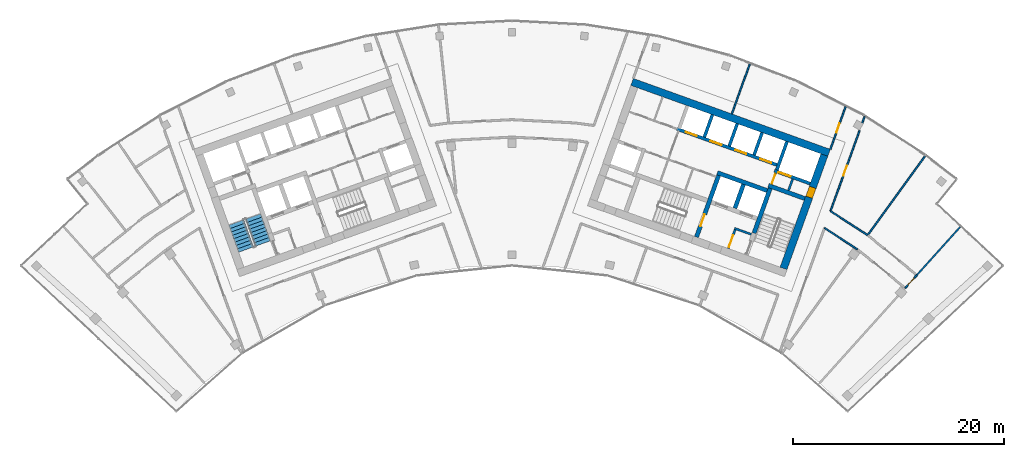
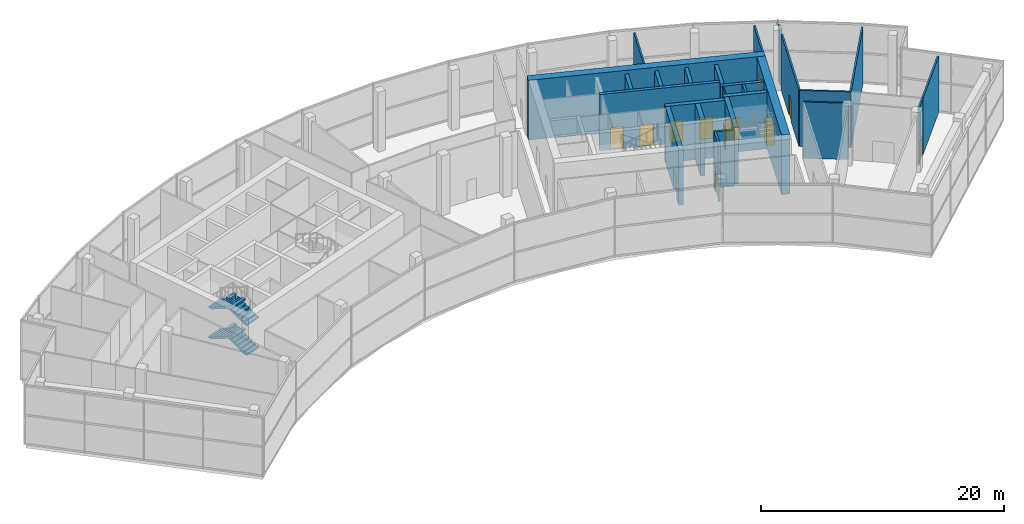
# One storey, part 15 of 18: 26 walls, 12 doors, 4 stair flights, 12 openings, 1 element without a shape of its own.
"""IFC4 building model written with IfcOpenShell, lengths in metres."""

from ifc_helpers import new_model, si_unit, direction, frame, frame_2d, origin, place, context, subcontext, project, spatial, polyline, rectangle, outline, extrude, material, layer, layer_set, type_object, element, fill, aggregate, save


model = new_model("IFC4")

# Units and contexts
model_context = context("Model", 3, precision=1e-05, world=origin(), true_north=direction((0.0, 1.0)))
body_context = subcontext(model_context, "Body", "Model", "MODEL_VIEW")
ifc_project = project(units=[si_unit("LENGTHUNIT", "METRE"), si_unit("AREAUNIT", "SQUARE_METRE"), si_unit("VOLUMEUNIT", "CUBIC_METRE"), si_unit("PLANEANGLEUNIT", "RADIAN"), si_unit("MASSUNIT", "GRAM", prefix="KILO")], contexts=[model_context])

# Site, building, storey
site_placement = place(None, origin())
site = spatial("IfcSite", under=ifc_project, at=site_placement, CompositionType="ELEMENT")
building_placement = place(site_placement, origin())
building = spatial("IfcBuilding", under=site, at=building_placement, Name="Stone Belt Terrace Tower", CompositionType="ELEMENT")
storey_placement = place(building_placement, frame((0.0, 0.0, 307.39990234375)))
storey = spatial("IfcBuildingStorey", under=building, at=storey_placement, Name="L75", CompositionType="ELEMENT", Elevation=307.39990234375)

# Wall, opening, door
ifc_material_1 = material(Name="Plasterboard partition")
ifc_layer_1 = layer(ifc_material_1, 0.10009765625)
ifc_layer_set_1 = layer_set([ifc_layer_1], Name="Core partition 100")
wall_type_1 = type_object("IfcWallType", Name="Core partition 100", PredefinedType="PARTITIONING", material=ifc_layer_set_1)
wall_1_placement = place(storey_placement, frame((24.555908203125, 51.10400390625, 0.0), z_axis=(0.0, 0.0, 1.0), x_axis=(0.338621735342, 0.94092258999, 0.0)))
wall_1 = element("IfcWall", 1, at=wall_1_placement, inside=storey, type_object=wall_type_1, Name="Core B wall", PredefinedType="PARTITIONING", context=body_context, shape_type="SweptSolid", body=[
    extrude(rectangle(XDim=1.14990234375, YDim=0.10009765625, at=frame_2d((0.574951171875, 0.0))), origin(), (0.0, 0.0, 1.0), 5.650146484375),
])
opening_1_placement = place(wall_1_placement, frame((0.050048828125, 0.0, 0.0)))
opening_1 = element("IfcOpeningElement", 2, at=opening_1_placement, cuts=wall_1, Name="Opening L75-C23", PredefinedType="OPENING", context=body_context, shape_type="SweptSolid", body=[
    extrude(rectangle(XDim=1.0, YDim=2.10009765625, at=frame_2d((0.5, 1.050048828125))), frame((0.0, 0.06005859375, 0.0), z_axis=(0.0, -1.0, 0.0), x_axis=(1.0, 0.0, 0.0)), (0.0, 0.0, 1.0), 0.1201171875),
])
ifc_material_2 = material(Name="Timber door leaf", Category="wood")
door_type_1 = type_object("IfcDoorType", Name="Core room door 1000", OperationType="SINGLE_SWING_LEFT", PredefinedType="DOOR", material=ifc_material_2)
door_1_placement = place(opening_1_placement, origin())
door_1 = element("IfcDoor", 3, at=door_1_placement, inside=storey, type_object=door_type_1, Name="Service lift lobby door core B", OperationType="SINGLE_SWING_RIGHT", OverallHeight=2.10009765625, OverallWidth=1.0, PredefinedType="DOOR", context=body_context, shape_type="SweptSolid", body=[
    extrude(rectangle(XDim=1.0, YDim=2.10009765625, at=frame_2d((0.5, 1.050048828125))), frame((0.0, 0.02490234375, 0.0), z_axis=(0.0, -1.0, 0.0), x_axis=(1.0, 0.0, 0.0)), (0.0, 0.0, 1.0), 0.050048828125),
])
fill(opening_1, door_1)

# Wall
ifc_material_3 = material(Name="Concrete B60", Category="concrete")
ifc_layer_2 = layer(ifc_material_3, 0.699951171875)
ifc_layer_set_2 = layer_set([ifc_layer_2], Name="Core wall 700 B60")
wall_type_2 = type_object("IfcWallType", Name="Core wall 700 B60", PredefinedType="SHEAR", material=ifc_layer_set_2)
wall_2_placement = place(storey_placement, frame((11.35791015625, 60.795654296875, 0.0), z_axis=(0.0, 0.0, 1.0), x_axis=(0.940919787944, -0.33862952124, 0.0)))
element("IfcWall", 4, at=wall_2_placement, inside=storey, type_object=wall_type_2, Name="Core B wall convex L75", PredefinedType="SHEAR", context=body_context, shape_type="SweptSolid", body=[
    extrude(rectangle(XDim=19.7998046875, YDim=0.699951171875, at=frame_2d((9.89990234375, 0.0))), origin(), (0.0, 0.0, 1.0), 6.0),
])

# Wall, opening, door
wall_3_placement = place(storey_placement, frame((25.679931640625, 43.153564453125, 0.0), z_axis=(0.0, 0.0, 1.0), x_axis=(0.338625431531, 0.940921259788, 0.0)))
wall_3 = element("IfcWall", 5, at=wall_3_placement, inside=storey, type_object=wall_type_2, Name="Core B wall end_b L75", PredefinedType="SHEAR", context=body_context, shape_type="SweptSolid", body=[
    extrude(rectangle(XDim=11.400146484375, YDim=0.699951171875, at=frame_2d((5.7001953125, 0.0))), origin(), (0.0, 0.0, 1.0), 6.0),
])
opening_2_placement = place(wall_3_placement, frame((7.14990234375, 0.0, 0.0)))
opening_2 = element("IfcOpeningElement", 6, at=opening_2_placement, cuts=wall_3, Name="Opening L75-C22", PredefinedType="OPENING", context=body_context, shape_type="SweptSolid", body=[
    extrude(rectangle(XDim=1.0, YDim=2.10009765625, at=frame_2d((0.5, 1.050048828125))), frame((0.0, 0.35986328125, 0.0), z_axis=(0.0, -1.0, 0.0), x_axis=(1.0, 0.0, 0.0)), (0.0, 0.0, 1.0), 0.719970703125),
])
door_2_placement = place(opening_2_placement, origin())
door_2 = element("IfcDoor", 7, at=door_2_placement, inside=storey, type_object=door_type_1, Name="Door to Telecommunications riser room core B", OperationType="SINGLE_SWING_LEFT", OverallHeight=2.10009765625, OverallWidth=1.0, PredefinedType="DOOR", context=body_context, shape_type="SweptSolid", body=[
    extrude(rectangle(XDim=1.0, YDim=2.10009765625, at=frame_2d((0.5, 1.050048828125))), frame((0.0, 0.330078125, 0.0), z_axis=(0.0, -1.0, 0.0), x_axis=(1.0, 0.0, 0.0)), (0.0, 0.0, 1.0), 0.659912109375),
])
fill(opening_2, door_2)

# Walls
ifc_material_4 = material(Name="Concrete B80", Category="concrete")
ifc_layer_3 = layer(ifc_material_4, 0.39990234375)
ifc_layer_set_3 = layer_set([ifc_layer_3], Name="Fire-fighting lift shaft wall 400")
wall_type_3 = type_object("IfcWallType", Name="Fire-fighting lift shaft wall 400", PredefinedType="SHEAR", material=ifc_layer_set_3)
wall_4_placement = place(storey_placement, frame((24.130615234375, 50.512939453125, 0.0), z_axis=(0.0, 0.0, 1.0), x_axis=(-0.94091168377, 0.338652038744, 0.0)))
element("IfcWall", 8, at=wall_4_placement, inside=storey, type_object=wall_type_3, Name="Core B wall", PredefinedType="SHEAR", context=body_context, shape_type="SweptSolid", body=[
    extrude(rectangle(XDim=5.000244140625, YDim=0.39990234375, at=frame_2d((2.5, 0.0))), origin(), (0.0, 0.0, 1.0), 5.650146484375),
])
wall_5_placement = place(storey_placement, frame((21.0859375, 48.845458984375, 0.0), z_axis=(0.0, 0.0, 1.0), x_axis=(0.338629416206, 0.940919825745, 0.0)))
element("IfcWall", 9, at=wall_5_placement, inside=storey, type_object=wall_type_3, Name="Core B wall", PredefinedType="SHEAR", context=body_context, shape_type="SweptSolid", body=[
    extrude(rectangle(XDim=2.400146484375, YDim=0.39990234375, at=frame_2d((1.2001953125, 0.0))), origin(), (0.0, 0.0, 1.0), 5.650146484375),
])

# Wall, opening, door
ifc_layer_4 = layer(ifc_material_4, 0.300048828125)
ifc_layer_set_4 = layer_set([ifc_layer_4], Name="Lift shaft wall 300")
wall_type_4 = type_object("IfcWallType", Name="Lift shaft wall 300", PredefinedType="SHEAR", material=ifc_layer_set_4)
wall_6_placement = place(storey_placement, frame((28.195068359375, 51.17578125, 0.0), z_axis=(0.0, 0.0, 1.0), x_axis=(-0.940901243567, 0.338681044427, 0.0)))
wall_6 = element("IfcWall", 10, at=wall_6_placement, inside=storey, type_object=wall_type_4, Name="Core B wall", PredefinedType="SHEAR", context=body_context, shape_type="SweptSolid", body=[
    extrude(rectangle(XDim=3.599853515625, YDim=0.300048828125, at=frame_2d((1.7998046875, 0.0))), origin(), (0.0, 0.0, 1.0), 5.650146484375),
])
opening_3_placement = place(wall_6_placement, frame((1.969970703125, 0.0, 0.0)))
opening_3 = element("IfcOpeningElement", 11, at=opening_3_placement, cuts=wall_6, Name="Opening L75-LD16", PredefinedType="OPENING", context=body_context, shape_type="SweptSolid", body=[
    extrude(rectangle(XDim=1.199951171875, YDim=2.199951171875, at=frame_2d((0.60009765625, 1.10009765625))), frame((0.0, 0.159912109375, 0.0), z_axis=(0.0, -1.0, 0.0), x_axis=(1.0, 0.0, 0.0)), (0.0, 0.0, 1.0), 0.320068359375),
])
ifc_material_5 = material(Name="Stainless steel door leaf", Category="steel")
door_type_2 = type_object("IfcDoorType", Name="Landing door 1200", OperationType="SLIDING_TO_LEFT", PredefinedType="DOOR", material=ifc_material_5)
door_3_placement = place(opening_3_placement, origin())
door_3 = element("IfcDoor", 12, at=door_3_placement, inside=storey, type_object=door_type_2, Name="Landing door SV1 core B", OperationType="SLIDING_TO_LEFT", OverallHeight=2.199951171875, OverallWidth=1.199951171875, PredefinedType="DOOR", context=body_context, shape_type="SweptSolid", body=[
    extrude(rectangle(XDim=1.199951171875, YDim=2.199951171875, at=frame_2d((0.60009765625, 1.10009765625))), frame((0.0, 0.02490234375, 0.0), z_axis=(0.0, -1.0, 0.0), x_axis=(1.0, 0.0, 0.0)), (0.0, 0.0, 1.0), 0.050048828125),
])
fill(opening_3, door_3)

# Wall
wall_7_placement = place(storey_placement, frame((25.046875, 52.46826171875, 0.0), z_axis=(0.0, 0.0, 1.0), x_axis=(0.338549588058, 0.940948551423, 0.0)))
element("IfcWall", 13, at=wall_7_placement, inside=storey, type_object=wall_type_4, Name="Core B wall", PredefinedType="SHEAR", context=body_context, shape_type="SweptSolid", body=[
    extrude(rectangle(XDim=2.849853515625, YDim=0.300048828125, at=frame_2d((1.4248046875, 0.0))), origin(), (0.0, 0.0, 1.0), 5.650146484375),
])

# Wall, openings, doors
wall_8_placement = place(storey_placement, frame((25.05810546875, 52.9423828125, 0.0), z_axis=(0.0, 0.0, 1.0), x_axis=(-0.940917446785, 0.338636026339, 0.0)))
wall_8 = element("IfcWall", 14, at=wall_8_placement, inside=storey, type_object=wall_type_4, Name="Core B wall", PredefinedType="SHEAR", context=body_context, shape_type="SweptSolid", body=[
    extrude(rectangle(XDim=10.050048828125, YDim=0.300048828125, at=frame_2d((5.02490234375, 0.0))), origin(), (0.0, 0.0, 1.0), 5.650146484375),
])
opening_4_placement = place(wall_8_placement, frame((0.570068359375, 0.0, 0.0)))
opening_4 = element("IfcOpeningElement", 15, at=opening_4_placement, cuts=wall_8, Name="Opening L75-LD09", PredefinedType="OPENING", context=body_context, shape_type="SweptSolid", body=[
    extrude(rectangle(XDim=1.10009765625, YDim=2.199951171875, at=frame_2d((0.550048828125, 1.10009765625))), frame((0.0, 0.159912109375, 0.0), z_axis=(0.0, -1.0, 0.0), x_axis=(1.0, 0.0, 0.0)), (0.0, 0.0, 1.0), 0.320068359375),
])
opening_5_placement = place(wall_8_placement, frame((3.070068359375, 0.0, 0.0)))
opening_5 = element("IfcOpeningElement", 16, at=opening_5_placement, cuts=wall_8, Name="Opening L75-LD10", PredefinedType="OPENING", context=body_context, shape_type="SweptSolid", body=[
    extrude(rectangle(XDim=1.10009765625, YDim=2.199951171875, at=frame_2d((0.550048828125, 1.10009765625))), frame((0.0, 0.159912109375, 0.0), z_axis=(0.0, -1.0, 0.0), x_axis=(1.0, 0.0, 0.0)), (0.0, 0.0, 1.0), 0.320068359375),
])
opening_6_placement = place(wall_8_placement, frame((5.570068359375, 0.0, 0.0)))
opening_6 = element("IfcOpeningElement", 17, at=opening_6_placement, cuts=wall_8, Name="Opening L75-LD11", PredefinedType="OPENING", context=body_context, shape_type="SweptSolid", body=[
    extrude(rectangle(XDim=1.10009765625, YDim=2.199951171875, at=frame_2d((0.550048828125, 1.10009765625))), frame((0.0, 0.159912109375, 0.0), z_axis=(0.0, -1.0, 0.0), x_axis=(1.0, 0.0, 0.0)), (0.0, 0.0, 1.0), 0.320068359375),
])
opening_7_placement = place(wall_8_placement, frame((8.070068359375, 0.0, 0.0)))
opening_7 = element("IfcOpeningElement", 18, at=opening_7_placement, cuts=wall_8, Name="Opening L75-LD12", PredefinedType="OPENING", context=body_context, shape_type="SweptSolid", body=[
    extrude(rectangle(XDim=1.10009765625, YDim=2.199951171875, at=frame_2d((0.550048828125, 1.10009765625))), frame((0.0, 0.159912109375, 0.0), z_axis=(0.0, -1.0, 0.0), x_axis=(1.0, 0.0, 0.0)), (0.0, 0.0, 1.0), 0.320068359375),
])
door_type_3 = type_object("IfcDoorType", Name="Landing door 1100", OperationType="SLIDING_TO_LEFT", PredefinedType="DOOR", material=ifc_material_5)
door_4_placement = place(opening_4_placement, origin())
door_4 = element("IfcDoor", 19, at=door_4_placement, inside=storey, type_object=door_type_3, Name="Landing door HR1 core B", OperationType="SLIDING_TO_LEFT", OverallHeight=2.199951171875, OverallWidth=1.10009765625, PredefinedType="DOOR", context=body_context, shape_type="SweptSolid", body=[
    extrude(rectangle(XDim=1.10009765625, YDim=2.199951171875, at=frame_2d((0.550048828125, 1.10009765625))), frame((0.0, 0.02490234375, 0.0), z_axis=(0.0, -1.0, 0.0), x_axis=(1.0, 0.0, 0.0)), (0.0, 0.0, 1.0), 0.050048828125),
])
fill(opening_4, door_4)
door_5_placement = place(opening_5_placement, origin())
door_5 = element("IfcDoor", 20, at=door_5_placement, inside=storey, type_object=door_type_3, Name="Landing door HR2 core B", OperationType="SLIDING_TO_LEFT", OverallHeight=2.199951171875, OverallWidth=1.10009765625, PredefinedType="DOOR", context=body_context, shape_type="SweptSolid", body=[
    extrude(rectangle(XDim=1.10009765625, YDim=2.199951171875, at=frame_2d((0.550048828125, 1.10009765625))), frame((0.0, 0.02490234375, 0.0), z_axis=(0.0, -1.0, 0.0), x_axis=(1.0, 0.0, 0.0)), (0.0, 0.0, 1.0), 0.050048828125),
])
fill(opening_5, door_5)
door_6_placement = place(opening_6_placement, origin())
door_6 = element("IfcDoor", 21, at=door_6_placement, inside=storey, type_object=door_type_3, Name="Landing door HR3 core B", OperationType="SLIDING_TO_LEFT", OverallHeight=2.199951171875, OverallWidth=1.10009765625, PredefinedType="DOOR", context=body_context, shape_type="SweptSolid", body=[
    extrude(rectangle(XDim=1.10009765625, YDim=2.199951171875, at=frame_2d((0.550048828125, 1.10009765625))), frame((0.0, 0.02490234375, 0.0), z_axis=(0.0, -1.0, 0.0), x_axis=(1.0, 0.0, 0.0)), (0.0, 0.0, 1.0), 0.050048828125),
])
fill(opening_6, door_6)
door_7_placement = place(opening_7_placement, origin())
door_7 = element("IfcDoor", 22, at=door_7_placement, inside=storey, type_object=door_type_3, Name="Landing door HR4 core B", OperationType="SLIDING_TO_LEFT", OverallHeight=2.199951171875, OverallWidth=1.10009765625, PredefinedType="DOOR", context=body_context, shape_type="SweptSolid", body=[
    extrude(rectangle(XDim=1.10009765625, YDim=2.199951171875, at=frame_2d((0.550048828125, 1.10009765625))), frame((0.0, 0.02490234375, 0.0), z_axis=(0.0, -1.0, 0.0), x_axis=(1.0, 0.0, 0.0)), (0.0, 0.0, 1.0), 0.050048828125),
])
fill(opening_7, door_7)

# Walls
wall_9_placement = place(storey_placement, frame((22.897705078125, 53.87939453125, 0.0), z_axis=(0.0, 0.0, 1.0), x_axis=(0.338535034312, 0.940953787677, 0.0)))
element("IfcWall", 23, at=wall_9_placement, inside=storey, type_object=wall_type_4, Name="Core B wall", PredefinedType="SHEAR", context=body_context, shape_type="SweptSolid", body=[
    extrude(rectangle(XDim=2.25, YDim=0.300048828125, at=frame_2d((1.125, 0.0))), origin(), (0.0, 0.0, 1.0), 5.650146484375),
])
wall_10_placement = place(storey_placement, frame((20.54541015625, 54.72607421875, 0.0), z_axis=(0.0, 0.0, 1.0), x_axis=(0.338569601369, 0.940941350472, 0.0)))
element("IfcWall", 24, at=wall_10_placement, inside=storey, type_object=wall_type_4, Name="Core B wall", PredefinedType="SHEAR", context=body_context, shape_type="SweptSolid", body=[
    extrude(rectangle(XDim=2.249755859375, YDim=0.300048828125, at=frame_2d((1.125, 0.0))), origin(), (0.0, 0.0, 1.0), 5.650146484375),
])
wall_11_placement = place(storey_placement, frame((18.193115234375, 55.572509765625, 0.0), z_axis=(0.0, 0.0, 1.0), x_axis=(0.338535034312, 0.940953787677, 0.0)))
element("IfcWall", 25, at=wall_11_placement, inside=storey, type_object=wall_type_4, Name="Core B wall", PredefinedType="SHEAR", context=body_context, shape_type="SweptSolid", body=[
    extrude(rectangle(XDim=2.25, YDim=0.300048828125, at=frame_2d((1.125, 0.0))), origin(), (0.0, 0.0, 1.0), 5.650146484375),
])

# Wall, opening, door
ifc_material_6 = material(Name="Gypsum board partition")
ifc_layer_5 = layer(ifc_material_6, 0.14990234375)
ifc_layer_set_5 = layer_set([ifc_layer_5], Name="PARTITION 150 EI 60")
wall_type_5 = type_object("IfcWallType", Name="PARTITION 150 EI 60", PredefinedType="PARTITIONING", material=ifc_layer_set_5)
wall_12_placement = place(storey_placement, frame((30.10595703125, 54.419921875, 0.0), z_axis=(0.0, 0.0, 1.0), x_axis=(0.338580264222, 0.940937513695, 0.0)))
wall_12 = element("IfcWall", 26, at=wall_12_placement, inside=storey, type_object=wall_type_5, Name="L75/wall/i026", PredefinedType="PARTITIONING", context=body_context, shape_type="SweptSolid", body=[
    extrude(rectangle(XDim=4.285400390625, YDim=0.14990234375, at=frame_2d((2.142578125, 0.0))), origin(), (0.0, 0.0, 1.0), 5.650146484375),
])
opening_8_placement = place(wall_12_placement, frame((1.692626953125, 0.0, 0.0)))
opening_8 = element("IfcOpeningElement", 27, at=opening_8_placement, cuts=wall_12, Name="Opening D-OBS-10", PredefinedType="OPENING", context=body_context, shape_type="SweptSolid", body=[
    extrude(rectangle(XDim=0.89990234375, YDim=2.10009765625, at=frame_2d((0.449951171875, 1.050048828125))), frame((0.0, 0.0849609375, 0.0), z_axis=(0.0, -1.0, 0.0), x_axis=(1.0, 0.0, 0.0)), (0.0, 0.0, 1.0), 0.169921875),
])
door_type_4 = type_object("IfcDoorType", Name="OFFICE DOOR 900 X 2100", OperationType="NOTDEFINED", PredefinedType="DOOR", material=ifc_material_2)
door_8_placement = place(opening_8_placement, origin())
door_8 = element("IfcDoor", 28, at=door_8_placement, inside=storey, type_object=door_type_4, Name="L75/door/i10", OperationType="SINGLE_SWING_RIGHT", OverallHeight=2.10009765625, OverallWidth=0.89990234375, PredefinedType="DOOR", context=body_context, shape_type="SweptSolid", body=[
    extrude(rectangle(XDim=0.89990234375, YDim=2.10009765625, at=frame_2d((0.449951171875, 1.050048828125))), frame((0.0, 0.02490234375, 0.0), z_axis=(0.0, -1.0, 0.0), x_axis=(1.0, 0.0, 0.0)), (0.0, 0.0, 1.0), 0.050048828125),
])
fill(opening_8, door_8)

# Wall
wall_13_placement = place(storey_placement, frame((33.348876953125, 57.523193359375, 0.0), z_axis=(0.0, 0.0, 1.0), x_axis=(-0.338733145318, -0.94088248802, 0.0)))
element("IfcWall", 29, at=wall_13_placement, inside=storey, type_object=wall_type_5, Name="L75/wall/i029", PredefinedType="PARTITIONING", context=body_context, shape_type="SweptSolid", body=[
    extrude(rectangle(XDim=0.632080078125, YDim=0.14990234375, at=frame_2d((0.31591796875, 0.0))), origin(), (0.0, 0.0, 1.0), 5.650146484375),
])

# Wall, opening, door
wall_14_placement = place(storey_placement, frame((32.875244140625, 56.20703125, 0.0), z_axis=(0.0, 0.0, 1.0), x_axis=(-0.338638537247, -0.940916543106, 0.0)))
wall_14 = element("IfcWall", 30, at=wall_14_placement, inside=storey, type_object=wall_type_5, Name="L75/wall/i030", PredefinedType="PARTITIONING", context=body_context, shape_type="SweptSolid", body=[
    extrude(rectangle(XDim=8.11865234375, YDim=0.14990234375, at=frame_2d((4.059326171875, 0.0))), origin(), (0.0, 0.0, 1.0), 5.650146484375),
])
opening_9_placement = place(wall_14_placement, frame((3.559326171875, 0.0, 0.0)))
opening_9 = element("IfcOpeningElement", 31, at=opening_9_placement, cuts=wall_14, Name="Opening D-OBS-21", PredefinedType="OPENING", context=body_context, shape_type="SweptSolid", body=[
    extrude(rectangle(XDim=1.0, YDim=2.10009765625, at=frame_2d((0.5, 1.050048828125))), frame((0.0, 0.0849609375, 0.0), z_axis=(0.0, -1.0, 0.0), x_axis=(1.0, 0.0, 0.0)), (0.0, 0.0, 1.0), 0.169921875),
])
ifc_material_7 = material(Name="Timber fire door leaf", Category="wood")
door_type_5 = type_object("IfcDoorType", Name="TENANCY ENTRANCE DOOR 1000 X 2100", OperationType="NOTDEFINED", PredefinedType="DOOR", material=ifc_material_7)
door_9_placement = place(opening_9_placement, origin())
door_9 = element("IfcDoor", 32, at=door_9_placement, inside=storey, type_object=door_type_5, Name="L75/door/i21", OperationType="SINGLE_SWING_RIGHT", OverallHeight=2.10009765625, OverallWidth=1.0, PredefinedType="DOOR", context=body_context, shape_type="SweptSolid", body=[
    extrude(rectangle(XDim=1.0, YDim=2.10009765625, at=frame_2d((0.5, 1.050048828125))), frame((0.0, 0.02490234375, 0.0), z_axis=(0.0, -1.0, 0.0), x_axis=(1.0, 0.0, 0.0)), (0.0, 0.0, 1.0), 0.050048828125),
])
fill(opening_9, door_9)

# Wall
wall_15_placement = place(storey_placement, frame((22.492919921875, 62.4990234375, 0.0), z_axis=(0.0, 0.0, 1.0), x_axis=(-0.33863857163, -0.940916530732, 0.0)))
element("IfcWall", 33, at=wall_15_placement, inside=storey, type_object=wall_type_5, Name="L75/wall/i037", PredefinedType="PARTITIONING", context=body_context, shape_type="SweptSolid", body=[
    extrude(rectangle(XDim=5.02294921875, YDim=0.14990234375, at=frame_2d((2.511474609375, 0.0))), origin(), (0.0, 0.0, 1.0), 5.650146484375),
])

# Wall, opening, door
wall_16_placement = place(storey_placement, frame((38.294921875, 42.530029296875, 0.0), z_axis=(0.0, 0.0, 1.0), x_axis=(-0.669037778615, -0.743228397456, 0.0)))
wall_16 = element("IfcWall", 34, at=wall_16_placement, inside=storey, type_object=wall_type_5, Name="L75/wall/i057", PredefinedType="PARTITIONING", context=body_context, shape_type="SweptSolid", body=[
    extrude(rectangle(XDim=1.661865234375, YDim=0.14990234375, at=frame_2d((0.8310546875, 0.0))), origin(), (0.0, 0.0, 1.0), 5.650146484375),
])
opening_10_placement = place(wall_16_placement, frame((0.380859375, 0.0, 0.0)))
opening_10 = element("IfcOpeningElement", 35, at=opening_10_placement, cuts=wall_16, Name="Opening D-OBS-18", PredefinedType="OPENING", context=body_context, shape_type="SweptSolid", body=[
    extrude(rectangle(XDim=0.89990234375, YDim=2.10009765625, at=frame_2d((0.449951171875, 1.050048828125))), frame((0.0, 0.0849609375, 0.0), z_axis=(0.0, -1.0, 0.0), x_axis=(1.0, 0.0, 0.0)), (0.0, 0.0, 1.0), 0.169921875),
])
door_10_placement = place(opening_10_placement, origin())
door_10 = element("IfcDoor", 36, at=door_10_placement, inside=storey, type_object=door_type_4, Name="L75/door/i18", OperationType="SINGLE_SWING_RIGHT", OverallHeight=2.10009765625, OverallWidth=0.89990234375, PredefinedType="DOOR", context=body_context, shape_type="SweptSolid", body=[
    extrude(rectangle(XDim=0.89990234375, YDim=2.10009765625, at=frame_2d((0.449951171875, 1.050048828125))), frame((0.0, 0.02490234375, 0.0), z_axis=(0.0, -1.0, 0.0), x_axis=(1.0, 0.0, 0.0)), (0.0, 0.0, 1.0), 0.050048828125),
])
fill(opening_10, door_10)

# Walls
wall_17_placement = place(storey_placement, frame((38.287109375, 42.52099609375, 0.0), z_axis=(0.0, 0.0, 1.0), x_axis=(0.669070076375, 0.743199322457, 0.0)))
element("IfcWall", 37, at=wall_17_placement, inside=storey, type_object=wall_type_5, Name="L75/wall/i059", PredefinedType="PARTITIONING", context=body_context, shape_type="SweptSolid", body=[
    extrude(rectangle(XDim=6.1455078125, YDim=0.14990234375, at=frame_2d((3.07275390625, 0.0))), origin(), (0.0, 0.0, 1.0), 5.650146484375),
])
wall_18_placement = place(storey_placement, frame((32.666015625, 44.9609375, 0.0), z_axis=(0.0, 0.0, 1.0), x_axis=(-0.838712683411, 0.544574177395, 0.0)))
element("IfcWall", 38, at=wall_18_placement, inside=storey, type_object=wall_type_5, Name="L75/wall/i060", PredefinedType="PARTITIONING", context=body_context, shape_type="SweptSolid", body=[
    extrude(rectangle(XDim=3.70947265625, YDim=0.14990234375, at=frame_2d((1.854736328125, 0.0))), origin(), (0.0, 0.0, 1.0), 5.650146484375),
])
wall_19_placement = place(storey_placement, frame((30.1279296875, 48.573974609375, 0.0), z_axis=(0.0, 0.0, 1.0), x_axis=(0.838679571288, -0.544625170832, 0.0)))
element("IfcWall", 39, at=wall_19_placement, inside=storey, type_object=wall_type_5, Name="L75/wall/i062", PredefinedType="PARTITIONING", context=body_context, shape_type="SweptSolid", body=[
    extrude(rectangle(XDim=4.182861328125, YDim=0.14990234375, at=frame_2d((2.09130859375, 0.0))), origin(), (0.0, 0.0, 1.0), 5.650146484375),
])
wall_20_placement = place(storey_placement, frame((39.087890625, 53.7998046875, 0.0), z_axis=(0.0, 0.0, 1.0), x_axis=(-0.587785060363, -0.80901713382, 0.0)))
element("IfcWall", 40, at=wall_20_placement, inside=storey, type_object=wall_type_5, Name="L75/wall/i066", PredefinedType="PARTITIONING", context=body_context, shape_type="SweptSolid", body=[
    extrude(rectangle(XDim=9.275390625, YDim=0.14990234375, at=frame_2d((4.6376953125, 0.0))), origin(), (0.0, 0.0, 1.0), 5.650146484375),
])
ifc_material_8 = material(Name="Concrete masonry block", Category="masonry")
ifc_layer_6 = layer(ifc_material_8, 0.199951171875)
ifc_layer_set_6 = layer_set([ifc_layer_6], Name="Rated lobby wall 200")
wall_type_6 = type_object("IfcWallType", Name="Rated lobby wall 200", PredefinedType="PARTITIONING", material=ifc_layer_set_6)
wall_21_placement = place(storey_placement, frame((26.1552734375, 50.5283203125, 0.0), z_axis=(0.0, 0.0, 1.0), x_axis=(0.338621735342, 0.94092258999, 0.0)))
element("IfcWall", 41, at=wall_21_placement, inside=storey, type_object=wall_type_6, Name="Core B wall", PredefinedType="PARTITIONING", context=body_context, shape_type="SweptSolid", body=[
    extrude(rectangle(XDim=1.14990234375, YDim=0.199951171875, at=frame_2d((0.574951171875, 0.0))), origin(), (0.0, 0.0, 1.0), 5.650146484375),
])
wall_22_placement = place(storey_placement, frame((22.640625, 46.373046875, 0.0), z_axis=(0.0, 0.0, 1.0), x_axis=(-0.940966110313, 0.338500781747, 0.0)))
element("IfcWall", 42, at=wall_22_placement, inside=storey, type_object=wall_type_6, Name="Core B wall", PredefinedType="PARTITIONING", context=body_context, shape_type="SweptSolid", body=[
    extrude(rectangle(XDim=1.699951171875, YDim=0.199951171875, at=frame_2d((0.85009765625, 0.0))), origin(), (0.0, 0.0, 1.0), 5.650146484375),
])

# Wall, opening, door
wall_23_placement = place(storey_placement, frame((20.4580078125, 45.032958984375, 0.0), z_axis=(0.0, 0.0, 1.0), x_axis=(0.338573865316, 0.940939816208, 0.0)))
wall_23 = element("IfcWall", 43, at=wall_23_placement, inside=storey, type_object=wall_type_6, Name="Core B wall", PredefinedType="PARTITIONING", context=body_context, shape_type="SweptSolid", body=[
    extrude(rectangle(XDim=1.900146484375, YDim=0.199951171875, at=frame_2d((0.9501953125, 0.0))), origin(), (0.0, 0.0, 1.0), 5.650146484375),
])
opening_11_placement = place(wall_23_placement, frame((0.14990234375, 0.0, 0.0)))
opening_11 = element("IfcOpeningElement", 44, at=opening_11_placement, cuts=wall_23, Name="Opening L75-C27", PredefinedType="OPENING", context=body_context, shape_type="SweptSolid", body=[
    extrude(rectangle(XDim=1.199951171875, YDim=2.10009765625, at=frame_2d((0.60009765625, 1.050048828125))), frame((0.0, 0.10986328125, 0.0), z_axis=(0.0, -1.0, 0.0), x_axis=(1.0, 0.0, 0.0)), (0.0, 0.0, 1.0), 0.219970703125),
])
ifc_material_9 = material(Name="Steel door leaf", Category="steel")
door_type_6 = type_object("IfcDoorType", Name="Stair door 1200", OperationType="SINGLE_SWING_LEFT", PredefinedType="DOOR", material=ifc_material_9)
door_11_placement = place(opening_11_placement, origin())
door_11 = element("IfcDoor", 45, at=door_11_placement, inside=storey, type_object=door_type_6, Name="Stair airlock door core B", OperationType="SINGLE_SWING_RIGHT", OverallHeight=2.10009765625, OverallWidth=1.199951171875, PredefinedType="DOOR", context=body_context, shape_type="SweptSolid", body=[
    extrude(rectangle(XDim=1.199951171875, YDim=2.10009765625, at=frame_2d((0.60009765625, 1.050048828125))), frame((0.0, 0.02490234375, 0.0), z_axis=(0.0, -1.0, 0.0), x_axis=(1.0, 0.0, 0.0)), (0.0, 0.0, 1.0), 0.050048828125),
])
fill(opening_11, door_11)

# Walls
ifc_layer_7 = layer(ifc_material_4, 0.39990234375)
ifc_layer_set_7 = layer_set([ifc_layer_7], Name="Stair enclosure wall 400")
wall_type_7 = type_object("IfcWallType", Name="Stair enclosure wall 400", PredefinedType="SHEAR", material=ifc_layer_set_7)
wall_24_placement = place(storey_placement, frame((27.687255859375, 49.764404296875, 0.0), z_axis=(0.0, 0.0, 1.0), x_axis=(-0.940918954884, 0.338631835981, 0.0)))
element("IfcWall", 46, at=wall_24_placement, inside=storey, type_object=wall_type_7, Name="Core B wall", PredefinedType="SHEAR", context=body_context, shape_type="SweptSolid", body=[
    extrude(rectangle(XDim=3.650146484375, YDim=0.39990234375, at=frame_2d((1.8251953125, 0.0))), origin(), (0.0, 0.0, 1.0), 5.650146484375),
])
wall_25_placement = place(storey_placement, frame((22.896484375, 46.493408203125, 0.0), z_axis=(0.0, 0.0, 1.0), x_axis=(0.338648384874, 0.940912998859, 0.0)))
element("IfcWall", 47, at=wall_25_placement, inside=storey, type_object=wall_type_7, Name="Core B wall", PredefinedType="SHEAR", context=body_context, shape_type="SweptSolid", body=[
    extrude(rectangle(XDim=4.5, YDim=0.39990234375, at=frame_2d((2.25, 0.0))), origin(), (0.0, 0.0, 1.0), 5.650146484375),
])

# Wall, opening, door
wall_26_placement = place(storey_placement, frame((17.447021484375, 46.116455078125, 0.0), z_axis=(0.0, 0.0, 1.0), x_axis=(0.33860791464, 0.940927563707, 0.0)))
wall_26 = element("IfcWall", 48, at=wall_26_placement, inside=storey, type_object=wall_type_7, Name="Core B wall", PredefinedType="SHEAR", context=body_context, shape_type="SweptSolid", body=[
    extrude(rectangle(XDim=6.199951171875, YDim=0.39990234375, at=frame_2d((3.10009765625, 0.0))), origin(), (0.0, 0.0, 1.0), 5.650146484375),
])
opening_12_placement = place(wall_26_placement, frame((1.10009765625, 0.0, 0.0)))
opening_12 = element("IfcOpeningElement", 49, at=opening_12_placement, cuts=wall_26, Name="Opening L75-C29", PredefinedType="OPENING", context=body_context, shape_type="SweptSolid", body=[
    extrude(rectangle(XDim=1.199951171875, YDim=2.10009765625, at=frame_2d((0.60009765625, 1.050048828125))), frame((0.0, 0.2099609375, 0.0), z_axis=(0.0, -1.0, 0.0), x_axis=(1.0, 0.0, 0.0)), (0.0, 0.0, 1.0), 0.419921875),
])
door_12_placement = place(opening_12_placement, origin())
door_12 = element("IfcDoor", 50, at=door_12_placement, inside=storey, type_object=door_type_6, Name="Stair 2 door core B", OperationType="SINGLE_SWING_RIGHT", OverallHeight=2.10009765625, OverallWidth=1.199951171875, PredefinedType="DOOR", context=body_context, shape_type="SweptSolid", body=[
    extrude(rectangle(XDim=1.199951171875, YDim=2.10009765625, at=frame_2d((0.60009765625, 1.050048828125))), frame((0.0, 0.02490234375, 0.0), z_axis=(0.0, -1.0, 0.0), x_axis=(1.0, 0.0, 0.0)), (0.0, 0.0, 1.0), 0.050048828125),
])
fill(opening_12, door_12)

# Stair, stair flights
ifc_material_10 = material(Name="Concrete B40", Category="concrete")
stair_type = type_object("IfcStairType", Name="Exit stair 1500", PredefinedType="HALF_TURN_STAIR", material=ifc_material_10)
stair_placement = place(storey_placement, origin())
stair = element("IfcStair", 51, at=stair_placement, inside=storey, type_object=stair_type, Name="L75 Exit stair 1 core A", PredefinedType="HALF_TURN_STAIR")
stair_flight_type = type_object("IfcStairFlightType", Name="Stair flight 1500", PredefinedType="STRAIGHT", material=ifc_material_10)
stair_flight_1_placement = place(storey_placement, frame((-23.55322265625, 45.51318359375, 0.0), z_axis=(0.0, 0.0, 1.0), x_axis=(-0.338624396177, 0.940921632398, 0.0)))
stair_flight_1 = element("IfcStairFlight", 52, at=stair_flight_1_placement, type_object=stair_flight_type, Name="ST1A flight 1", NumberOfRisers=9, NumberOfTreads=8, PredefinedType="STRAIGHT", RiserHeight=0.166666667, TreadLength=0.34, context=body_context, shape_type="SweptSolid", body=[
    extrude(outline(polyline([(0.0, 0.0), (0.0, 0.166748046875), (0.340087890625, 0.166748046875), (0.340087890625, 0.333251953125), (0.679931640625, 0.333251953125), (0.679931640625, 0.5), (1.02001953125, 0.5), (1.02001953125, 0.666748046875), (1.360107421875, 0.666748046875), (1.360107421875, 0.833251953125), (1.699951171875, 0.833251953125), (1.699951171875, 1.0), (2.0400390625, 1.0), (2.0400390625, 1.166748046875), (2.3798828125, 1.166748046875), (2.3798828125, 1.333251953125), (2.719970703125, 1.333251953125), (2.719970703125, 1.5), (2.719970703125, 1.16650390625), (0.340576171875, 0.0), (0.0, 0.0)])), frame((0.0, 0.75, 0.0), z_axis=(0.0, -1.0, 0.0), x_axis=(1.0, 0.0, 0.0)), (0.0, 0.0, 1.0), 1.5),
])
stair_flight_2_placement = place(storey_placement, frame((-26.073974609375, 47.496826171875, 1.5), z_axis=(0.0, 0.0, 1.0), x_axis=(0.338624396177, -0.940921632398, 0.0)))
stair_flight_2 = element("IfcStairFlight", 53, at=stair_flight_2_placement, type_object=stair_flight_type, Name="ST1A flight 2", NumberOfRisers=9, NumberOfTreads=8, PredefinedType="STRAIGHT", RiserHeight=0.166666667, TreadLength=0.34, context=body_context, shape_type="SweptSolid", body=[
    extrude(outline(polyline([(0.0, 0.0), (0.0, 0.166748046875), (0.340087890625, 0.166748046875), (0.340087890625, 0.333251953125), (0.679931640625, 0.333251953125), (0.679931640625, 0.5), (1.02001953125, 0.5), (1.02001953125, 0.666748046875), (1.360107421875, 0.666748046875), (1.360107421875, 0.833251953125), (1.699951171875, 0.833251953125), (1.699951171875, 1.0), (2.0400390625, 1.0), (2.0400390625, 1.166748046875), (2.3798828125, 1.166748046875), (2.3798828125, 1.333251953125), (2.719970703125, 1.333251953125), (2.719970703125, 1.5), (2.719970703125, 1.16650390625), (0.340576171875, 0.0), (0.0, 0.0)])), frame((0.0, 0.75, 0.0), z_axis=(0.0, -1.0, 0.0), x_axis=(1.0, 0.0, 0.0)), (0.0, 0.0, 1.0), 1.5),
])
stair_flight_3_placement = place(storey_placement, frame((-23.55322265625, 45.51318359375, 3.0), z_axis=(0.0, 0.0, 1.0), x_axis=(-0.338624396177, 0.940921632398, 0.0)))
stair_flight_3 = element("IfcStairFlight", 54, at=stair_flight_3_placement, type_object=stair_flight_type, Name="ST1A flight 3", NumberOfRisers=9, NumberOfTreads=8, PredefinedType="STRAIGHT", RiserHeight=0.166666667, TreadLength=0.34, context=body_context, shape_type="SweptSolid", body=[
    extrude(outline(polyline([(0.0, 0.0), (0.0, 0.166748046875), (0.340087890625, 0.166748046875), (0.340087890625, 0.333251953125), (0.679931640625, 0.333251953125), (0.679931640625, 0.5), (1.02001953125, 0.5), (1.02001953125, 0.666748046875), (1.360107421875, 0.666748046875), (1.360107421875, 0.833251953125), (1.699951171875, 0.833251953125), (1.699951171875, 1.0), (2.0400390625, 1.0), (2.0400390625, 1.166748046875), (2.3798828125, 1.166748046875), (2.3798828125, 1.333251953125), (2.719970703125, 1.333251953125), (2.719970703125, 1.5), (2.719970703125, 1.16650390625), (0.340576171875, 0.0), (0.0, 0.0)])), frame((0.0, 0.75, 0.0), z_axis=(0.0, -1.0, 0.0), x_axis=(1.0, 0.0, 0.0)), (0.0, 0.0, 1.0), 1.5),
])
stair_flight_4_placement = place(storey_placement, frame((-26.073974609375, 47.496826171875, 4.5), z_axis=(0.0, 0.0, 1.0), x_axis=(0.338624396177, -0.940921632398, 0.0)))
stair_flight_4 = element("IfcStairFlight", 55, at=stair_flight_4_placement, type_object=stair_flight_type, Name="ST1A flight 4", NumberOfRisers=9, NumberOfTreads=8, PredefinedType="STRAIGHT", RiserHeight=0.166666667, TreadLength=0.34, context=body_context, shape_type="SweptSolid", body=[
    extrude(outline(polyline([(0.0, 0.0), (0.0, 0.166748046875), (0.340087890625, 0.166748046875), (0.340087890625, 0.333251953125), (0.679931640625, 0.333251953125), (0.679931640625, 0.5), (1.02001953125, 0.5), (1.02001953125, 0.666748046875), (1.360107421875, 0.666748046875), (1.360107421875, 0.833251953125), (1.699951171875, 0.833251953125), (1.699951171875, 1.0), (2.0400390625, 1.0), (2.0400390625, 1.166748046875), (2.3798828125, 1.166748046875), (2.3798828125, 1.333251953125), (2.719970703125, 1.333251953125), (2.719970703125, 1.5), (2.719970703125, 1.16650390625), (0.340576171875, 0.0), (0.0, 0.0)])), frame((0.0, 0.75, 0.0), z_axis=(0.0, -1.0, 0.0), x_axis=(1.0, 0.0, 0.0)), (0.0, 0.0, 1.0), 1.5),
])
aggregate(stair, [stair_flight_1, stair_flight_2, stair_flight_3, stair_flight_4])

save(model, "model.ifc")
